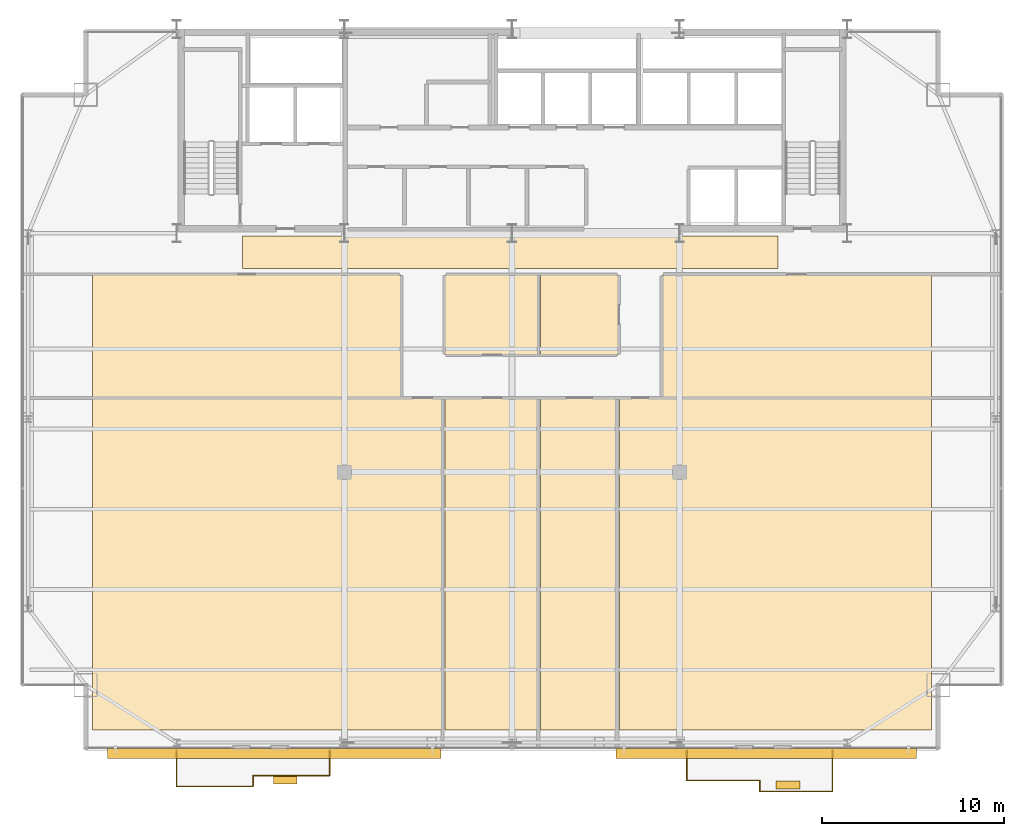
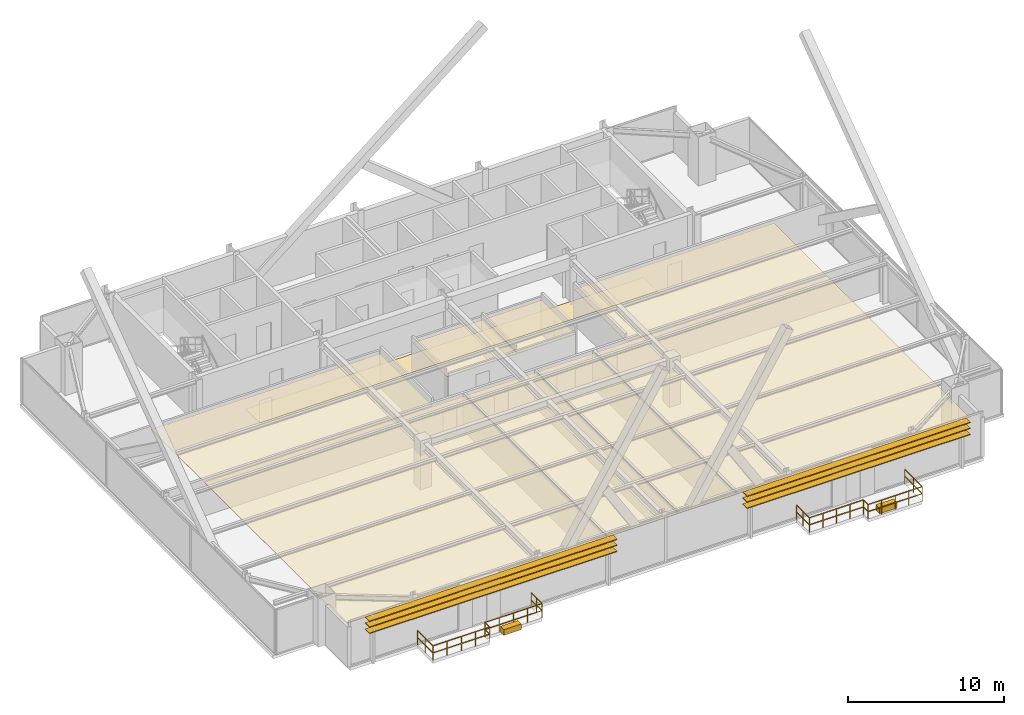
# One storey, part 33 of 34: 11 coverings, 10 railings, 6 shading devices.
"""IFC4 building model written with IfcOpenShell, lengths in metres."""

from ifc_helpers import new_model, si_unit, direction, frame, origin, origin_2d, place, context, subcontext, project, spatial, polyline, rectangle, outline, extrude, source, transform, mapped, material, layer, layer_set, type_object, type_shapes, element, save


model = new_model("IFC4")

# Units and contexts
model_context = context("Model", 3, precision=1e-05, world=origin(), true_north=direction((0.0, 1.0)))
body_context = subcontext(model_context, "Body", "Model", "MODEL_VIEW")
ifc_project = project(units=[si_unit("LENGTHUNIT", "METRE"), si_unit("AREAUNIT", "SQUARE_METRE"), si_unit("VOLUMEUNIT", "CUBIC_METRE"), si_unit("PLANEANGLEUNIT", "RADIAN"), si_unit("MASSUNIT", "GRAM", prefix="KILO")], contexts=[model_context])

# Site, building, storey
site_placement = place(None, origin())
site = spatial("IfcSite", under=ifc_project, at=site_placement, CompositionType="ELEMENT")
building_placement = place(site_placement, origin())
building = spatial("IfcBuilding", under=site, at=building_placement, Name="Varnel Quay Broadcast Tower", CompositionType="ELEMENT")
storey_placement = place(building_placement, frame((0.0, 0.0, 161.0)))
storey = spatial("IfcBuildingStorey", under=building, at=storey_placement, Name="L39", CompositionType="ELEMENT", Elevation=161.0)

# Coverings
ifc_material_1 = material(Name="Micro-Perforated Acoustic Ceiling Tile")
ifc_layer_1 = layer(ifc_material_1, 0.0400390625, Name="Micro-Perforated Acoustic Ceiling Tile")
ifc_layer_set_1 = layer_set([ifc_layer_1], Name="Micro-Perforated Acoustic Ceiling Tile")
covering_type_1 = type_object("IfcCoveringType", Name="Cov_AcousticCeiling", PredefinedType="CEILING", material=ifc_layer_set_1)
covering_1_placement = place(storey_placement, frame((0.0, 0.0, 2.580078125)))
element("IfcCovering", 1, at=covering_1_placement, inside=storey, type_object=covering_type_1, Name="L39 Press Briefing Room 1 Acoustic Ceiling", PredefinedType="CEILING", context=body_context, shape_type="SweptSolid", body=[
    extrude(outline(polyline([(10.985107421875, 8.324951171875), (30.2451171875, 8.324951171875), (30.2451171875, 26.52490234375), (10.985107421875, 26.52490234375), (10.985107421875, 8.324951171875)])), origin(), (0.0, 0.0, 1.0), 0.0400390625),
])
covering_2_placement = place(storey_placement, frame((0.0, 0.0, 2.580078125)))
element("IfcCovering", 2, at=covering_2_placement, inside=storey, type_object=covering_type_1, Name="L39 Editorial Huddle Room 2 Acoustic Ceiling", PredefinedType="CEILING", context=body_context, shape_type="SweptSolid", body=[
    extrude(outline(polyline([(30.31494140625, 8.324951171875), (35.5048828125, 8.324951171875), (35.5048828125, 26.52490234375), (30.31494140625, 26.52490234375), (30.31494140625, 8.324951171875)])), origin(), (0.0, 0.0, 1.0), 0.0400390625),
])
covering_3_placement = place(storey_placement, frame((0.0, 0.0, 2.580078125)))
element("IfcCovering", 3, at=covering_3_placement, inside=storey, type_object=covering_type_1, Name="L39 Journalism Training Studio 3 Acoustic Ceiling", PredefinedType="CEILING", context=body_context, shape_type="SweptSolid", body=[
    extrude(outline(polyline([(35.574951171875, 8.324951171875), (39.8349609375, 8.324951171875), (39.8349609375, 26.52490234375), (35.574951171875, 26.52490234375), (35.574951171875, 8.324951171875)])), origin(), (0.0, 0.0, 1.0), 0.0400390625),
])
covering_4_placement = place(storey_placement, frame((0.0, 0.0, 2.580078125)))
element("IfcCovering", 4, at=covering_4_placement, inside=storey, type_object=covering_type_1, Name="L39 Catering Kitchen 4 Acoustic Ceiling", PredefinedType="CEILING", context=body_context, shape_type="SweptSolid", body=[
    extrude(outline(polyline([(39.905029296875, 8.324951171875), (57.014892578125, 8.324951171875), (57.014892578125, 26.52490234375), (39.905029296875, 26.52490234375), (39.905029296875, 8.324951171875)])), origin(), (0.0, 0.0, 1.0), 0.0400390625),
])
covering_5_placement = place(storey_placement, frame((0.0, 0.0, 2.580078125)))
element("IfcCovering", 5, at=covering_5_placement, inside=storey, type_object=covering_type_1, Name="L39 Bureau Office 5 Acoustic Ceiling", PredefinedType="CEILING", context=body_context, shape_type="SweptSolid", body=[
    extrude(outline(polyline([(10.985107421875, 26.594970703125), (27.89501953125, 26.594970703125), (27.89501953125, 33.31494140625), (10.985107421875, 33.31494140625), (10.985107421875, 26.594970703125)])), origin(), (0.0, 0.0, 1.0), 0.0400390625),
])
covering_6_placement = place(storey_placement, frame((0.0, 0.0, 2.580078125)))
element("IfcCovering", 6, at=covering_6_placement, inside=storey, type_object=covering_type_1, Name="L39 Reading Lounge 6 Acoustic Ceiling", PredefinedType="CEILING", context=body_context, shape_type="SweptSolid", body=[
    extrude(outline(polyline([(30.31494140625, 28.945068359375), (35.5048828125, 28.945068359375), (35.5048828125, 33.31494140625), (30.31494140625, 33.31494140625), (30.31494140625, 28.945068359375)])), origin(), (0.0, 0.0, 1.0), 0.0400390625),
])
covering_7_placement = place(storey_placement, frame((0.0, 0.0, 2.580078125)))
element("IfcCovering", 7, at=covering_7_placement, inside=storey, type_object=covering_type_1, Name="L39 Broadcast Seminar Room 7 Acoustic Ceiling", PredefinedType="CEILING", context=body_context, shape_type="SweptSolid", body=[
    extrude(outline(polyline([(35.574951171875, 28.945068359375), (39.8349609375, 28.945068359375), (39.8349609375, 33.31494140625), (35.574951171875, 33.31494140625), (35.574951171875, 28.945068359375)])), origin(), (0.0, 0.0, 1.0), 0.0400390625),
])
covering_8_placement = place(storey_placement, frame((0.0, 0.0, 2.580078125)))
element("IfcCovering", 8, at=covering_8_placement, inside=storey, type_object=covering_type_1, Name="L39 Press Briefing Room 8 Acoustic Ceiling", PredefinedType="CEILING", context=body_context, shape_type="SweptSolid", body=[
    extrude(outline(polyline([(42.2548828125, 26.594970703125), (57.014892578125, 26.594970703125), (57.014892578125, 33.31494140625), (42.2548828125, 33.31494140625), (42.2548828125, 26.594970703125)])), origin(), (0.0, 0.0, 1.0), 0.0400390625),
])
ifc_material_2 = material(Name="Polished Terrazzo & Broadcast Raised Flooring")
ifc_layer_2 = layer(ifc_material_2, 0.0400390625, Name="Polished Terrazzo & Broadcast Raised Flooring")
ifc_layer_set_2 = layer_set([ifc_layer_2], Name="Polished Terrazzo & Broadcast Raised Flooring")
covering_type_2 = type_object("IfcCoveringType", Name="Cov_TerrazzoFloor", PredefinedType="FLOORING", material=ifc_layer_set_2)
covering_9_placement = place(storey_placement, origin())
element("IfcCovering", 9, at=covering_9_placement, inside=storey, type_object=covering_type_2, Name="L39 Corridor Terrazzo Flooring", PredefinedType="FLOORING", context=body_context, shape_type="SweptSolid", body=[
    extrude(outline(polyline([(19.199951171875, 33.64990234375), (48.60009765625, 33.64990234375), (48.60009765625, 35.449951171875), (19.199951171875, 35.449951171875), (19.199951171875, 33.64990234375)])), origin(), (0.0, 0.0, 1.0), 0.0400390625),
])

# Railings
ifc_material_3 = material(Name="Anodised Bronze Aluminium 6063-T6", Category="aluminium")
railing_type = type_object("IfcRailingType", Name="Rail_Balustrade1150", PredefinedType="BALUSTRADE", material=ifc_material_3)
railing_1_placement = place(storey_placement, frame((15.590087890625, 5.236083984375, 0.0)))
element("IfcRailing", 10, at=railing_1_placement, inside=storey, type_object=railing_type, Name="L39 Terrace 1 Guard 1", PredefinedType="BALUSTRADE", context=body_context, shape_type="SweptSolid", body=[
    extrude(rectangle(XDim=0.048095703125, YDim=0.048095703125, at=origin_2d()), frame((0.0, 0.0, 1.1259765625), z_axis=(1.0, 0.0, 0.0), x_axis=(0.0, 1.0, 0.0)), (0.0, 0.0, 1.0), 4.199951171875),
    extrude(rectangle(XDim=0.048095703125, YDim=0.048095703125, at=origin_2d()), frame((0.0, 0.0, 0.574951171875), z_axis=(1.0, 0.0, 0.0), x_axis=(0.0, 1.0, 0.0)), (0.0, 0.0, 1.0), 4.199951171875),
    extrude(rectangle(XDim=0.0419921875, YDim=0.0419921875, at=origin_2d()), origin(), (0.0, 0.0, 1.0), 1.101806640625),
    extrude(rectangle(XDim=0.0419921875, YDim=0.0419921875, at=origin_2d()), frame((1.050048828125, 0.0, 0.0)), (0.0, 0.0, 1.0), 1.101806640625),
    extrude(rectangle(XDim=0.0419921875, YDim=0.0419921875, at=origin_2d()), frame((2.10009765625, 0.0, 0.0)), (0.0, 0.0, 1.0), 1.101806640625),
    extrude(rectangle(XDim=0.0419921875, YDim=0.0419921875, at=origin_2d()), frame((3.14990234375, 0.0, 0.0)), (0.0, 0.0, 1.0), 1.101806640625),
    extrude(rectangle(XDim=0.0419921875, YDim=0.0419921875, at=origin_2d()), frame((4.199951171875, 0.0, 0.0)), (0.0, 0.0, 1.0), 1.101806640625),
])
railing_2_placement = place(storey_placement, frame((19.7900390625, 5.236083984375, 0.0)))
element("IfcRailing", 11, at=railing_2_placement, inside=storey, type_object=railing_type, Name="L39 Terrace 1 Guard 2", PredefinedType="BALUSTRADE", context=body_context, shape_type="SweptSolid", body=[
    extrude(rectangle(XDim=0.048095703125, YDim=0.048095703125, at=origin_2d()), frame((0.0, 0.0, 1.1259765625), z_axis=(0.0, 1.0, 0.0), x_axis=(-1.0, 0.0, 0.0)), (0.0, 0.0, 1.0), 0.599853515625),
    extrude(rectangle(XDim=0.048095703125, YDim=0.048095703125, at=origin_2d()), frame((0.0, 0.0, 0.574951171875), z_axis=(0.0, 1.0, 0.0), x_axis=(-1.0, 0.0, 0.0)), (0.0, 0.0, 1.0), 0.599853515625),
    extrude(rectangle(XDim=0.0419921875, YDim=0.0419921875, at=origin_2d()), origin(), (0.0, 0.0, 1.0), 1.101806640625),
    extrude(rectangle(XDim=0.0419921875, YDim=0.0419921875, at=origin_2d()), frame((0.0, 0.599853515625, 0.0)), (0.0, 0.0, 1.0), 1.101806640625),
])
railing_3_placement = place(storey_placement, frame((19.7900390625, 5.8359375, 0.0)))
element("IfcRailing", 12, at=railing_3_placement, inside=storey, type_object=railing_type, Name="L39 Terrace 1 Guard 3", PredefinedType="BALUSTRADE", context=body_context, shape_type="SweptSolid", body=[
    extrude(rectangle(XDim=0.048095703125, YDim=0.048095703125, at=origin_2d()), frame((0.0, 0.0, 1.1259765625), z_axis=(1.0, 0.0, 0.0), x_axis=(0.0, 1.0, 0.0)), (0.0, 0.0, 1.0), 4.199951171875),
    extrude(rectangle(XDim=0.048095703125, YDim=0.048095703125, at=origin_2d()), frame((0.0, 0.0, 0.574951171875), z_axis=(1.0, 0.0, 0.0), x_axis=(0.0, 1.0, 0.0)), (0.0, 0.0, 1.0), 4.199951171875),
    extrude(rectangle(XDim=0.0419921875, YDim=0.0419921875, at=origin_2d()), origin(), (0.0, 0.0, 1.0), 1.101806640625),
    extrude(rectangle(XDim=0.0419921875, YDim=0.0419921875, at=origin_2d()), frame((1.050048828125, 0.0, 0.0)), (0.0, 0.0, 1.0), 1.101806640625),
    extrude(rectangle(XDim=0.0419921875, YDim=0.0419921875, at=origin_2d()), frame((2.10009765625, 0.0, 0.0)), (0.0, 0.0, 1.0), 1.101806640625),
    extrude(rectangle(XDim=0.0419921875, YDim=0.0419921875, at=origin_2d()), frame((3.14990234375, 0.0, 0.0)), (0.0, 0.0, 1.0), 1.101806640625),
    extrude(rectangle(XDim=0.0419921875, YDim=0.0419921875, at=origin_2d()), frame((4.199951171875, 0.0, 0.0)), (0.0, 0.0, 1.0), 1.101806640625),
])
railing_4_placement = place(storey_placement, frame((23.989990234375, 5.8359375, 0.0)))
element("IfcRailing", 13, at=railing_4_placement, inside=storey, type_object=railing_type, Name="L39 Terrace 1 Guard 4", PredefinedType="BALUSTRADE", context=body_context, shape_type="SweptSolid", body=[
    extrude(rectangle(XDim=0.048095703125, YDim=0.048095703125, at=origin_2d()), frame((0.0, 0.0, 1.1259765625), z_axis=(0.0, 1.0, 0.0), x_axis=(-1.0, 0.0, 0.0)), (0.0, 0.0, 1.0), 1.364013671875),
    extrude(rectangle(XDim=0.048095703125, YDim=0.048095703125, at=origin_2d()), frame((0.0, 0.0, 0.574951171875), z_axis=(0.0, 1.0, 0.0), x_axis=(-1.0, 0.0, 0.0)), (0.0, 0.0, 1.0), 1.364013671875),
    extrude(rectangle(XDim=0.0419921875, YDim=0.0419921875, at=origin_2d()), origin(), (0.0, 0.0, 1.0), 1.101806640625),
    extrude(rectangle(XDim=0.0419921875, YDim=0.0419921875, at=origin_2d()), frame((0.0, 0.68212890625, 0.0)), (0.0, 0.0, 1.0), 1.101806640625),
    extrude(rectangle(XDim=0.0419921875, YDim=0.0419921875, at=origin_2d()), frame((0.0, 1.364013671875, 0.0)), (0.0, 0.0, 1.0), 1.101806640625),
])
railing_5_placement = place(storey_placement, frame((15.590087890625, 7.199951171875, 0.0)))
element("IfcRailing", 14, at=railing_5_placement, inside=storey, type_object=railing_type, Name="L39 Terrace 1 Guard 6", PredefinedType="BALUSTRADE", context=body_context, shape_type="SweptSolid", body=[
    extrude(rectangle(XDim=0.048095703125, YDim=0.048095703125, at=origin_2d()), frame((0.0, 0.0, 1.1259765625), z_axis=(0.0, -1.0, 0.0), x_axis=(1.0, 0.0, 0.0)), (0.0, 0.0, 1.0), 1.9638671875),
    extrude(rectangle(XDim=0.048095703125, YDim=0.048095703125, at=origin_2d()), frame((0.0, 0.0, 0.574951171875), z_axis=(0.0, -1.0, 0.0), x_axis=(1.0, 0.0, 0.0)), (0.0, 0.0, 1.0), 1.9638671875),
    extrude(rectangle(XDim=0.0419921875, YDim=0.0419921875, at=origin_2d()), origin(), (0.0, 0.0, 1.0), 1.101806640625),
    extrude(rectangle(XDim=0.0419921875, YDim=0.0419921875, at=origin_2d()), frame((0.0, -0.98193359375, 0.0)), (0.0, 0.0, 1.0), 1.101806640625),
    extrude(rectangle(XDim=0.0419921875, YDim=0.0419921875, at=origin_2d()), frame((0.0, -1.9638671875, 0.0)), (0.0, 0.0, 1.0), 1.101806640625),
])
railing_6_placement = place(storey_placement, frame((43.60009765625, 5.56396484375, 0.0)))
element("IfcRailing", 15, at=railing_6_placement, inside=storey, type_object=railing_type, Name="L39 Terrace 2 Guard 1", PredefinedType="BALUSTRADE", context=body_context, shape_type="SweptSolid", body=[
    extrude(rectangle(XDim=0.048095703125, YDim=0.048095703125, at=origin_2d()), frame((0.0, 0.0, 1.1259765625), z_axis=(1.0, 0.0, 0.0), x_axis=(0.0, 1.0, 0.0)), (0.0, 0.0, 1.0), 3.994873046875),
    extrude(rectangle(XDim=0.048095703125, YDim=0.048095703125, at=origin_2d()), frame((0.0, 0.0, 0.574951171875), z_axis=(1.0, 0.0, 0.0), x_axis=(0.0, 1.0, 0.0)), (0.0, 0.0, 1.0), 3.994873046875),
    extrude(rectangle(XDim=0.0419921875, YDim=0.0419921875, at=origin_2d()), origin(), (0.0, 0.0, 1.0), 1.101806640625),
    extrude(rectangle(XDim=0.0419921875, YDim=0.0419921875, at=origin_2d()), frame((0.998779296875, 0.0, 0.0)), (0.0, 0.0, 1.0), 1.101806640625),
    extrude(rectangle(XDim=0.0419921875, YDim=0.0419921875, at=origin_2d()), frame((1.99755859375, 0.0, 0.0)), (0.0, 0.0, 1.0), 1.101806640625),
    extrude(rectangle(XDim=0.0419921875, YDim=0.0419921875, at=origin_2d()), frame((2.99609375, 0.0, 0.0)), (0.0, 0.0, 1.0), 1.101806640625),
    extrude(rectangle(XDim=0.0419921875, YDim=0.0419921875, at=origin_2d()), frame((3.994873046875, 0.0, 0.0)), (0.0, 0.0, 1.0), 1.101806640625),
])
railing_7_placement = place(storey_placement, frame((47.594970703125, 5.56396484375, 0.0)))
element("IfcRailing", 16, at=railing_7_placement, inside=storey, type_object=railing_type, Name="L39 Terrace 2 Guard 2", PredefinedType="BALUSTRADE", context=body_context, shape_type="SweptSolid", body=[
    extrude(rectangle(XDim=0.048095703125, YDim=0.048095703125, at=origin_2d()), frame((0.0, 0.0, 1.1259765625), z_axis=(0.0, -1.0, 0.0), x_axis=(1.0, 0.0, 0.0)), (0.0, 0.0, 1.0), 0.599853515625),
    extrude(rectangle(XDim=0.048095703125, YDim=0.048095703125, at=origin_2d()), frame((0.0, 0.0, 0.574951171875), z_axis=(0.0, -1.0, 0.0), x_axis=(1.0, 0.0, 0.0)), (0.0, 0.0, 1.0), 0.599853515625),
    extrude(rectangle(XDim=0.0419921875, YDim=0.0419921875, at=origin_2d()), origin(), (0.0, 0.0, 1.0), 1.101806640625),
    extrude(rectangle(XDim=0.0419921875, YDim=0.0419921875, at=origin_2d()), frame((0.0, -0.599853515625, 0.0)), (0.0, 0.0, 1.0), 1.101806640625),
])
railing_8_placement = place(storey_placement, frame((47.594970703125, 4.964111328125, 0.0)))
element("IfcRailing", 17, at=railing_8_placement, inside=storey, type_object=railing_type, Name="L39 Terrace 2 Guard 3", PredefinedType="BALUSTRADE", context=body_context, shape_type="SweptSolid", body=[
    extrude(rectangle(XDim=0.048095703125, YDim=0.048095703125, at=origin_2d()), frame((0.0, 0.0, 1.1259765625), z_axis=(1.0, 0.0, 0.0), x_axis=(0.0, 1.0, 0.0)), (0.0, 0.0, 1.0), 3.9951171875),
    extrude(rectangle(XDim=0.048095703125, YDim=0.048095703125, at=origin_2d()), frame((0.0, 0.0, 0.574951171875), z_axis=(1.0, 0.0, 0.0), x_axis=(0.0, 1.0, 0.0)), (0.0, 0.0, 1.0), 3.9951171875),
    extrude(rectangle(XDim=0.0419921875, YDim=0.0419921875, at=origin_2d()), origin(), (0.0, 0.0, 1.0), 1.101806640625),
    extrude(rectangle(XDim=0.0419921875, YDim=0.0419921875, at=origin_2d()), frame((0.998779296875, 0.0, 0.0)), (0.0, 0.0, 1.0), 1.101806640625),
    extrude(rectangle(XDim=0.0419921875, YDim=0.0419921875, at=origin_2d()), frame((1.99755859375, 0.0, 0.0)), (0.0, 0.0, 1.0), 1.101806640625),
    extrude(rectangle(XDim=0.0419921875, YDim=0.0419921875, at=origin_2d()), frame((2.996337890625, 0.0, 0.0)), (0.0, 0.0, 1.0), 1.101806640625),
    extrude(rectangle(XDim=0.0419921875, YDim=0.0419921875, at=origin_2d()), frame((3.9951171875, 0.0, 0.0)), (0.0, 0.0, 1.0), 1.101806640625),
])
railing_9_placement = place(storey_placement, frame((51.590087890625, 4.964111328125, 0.0)))
element("IfcRailing", 18, at=railing_9_placement, inside=storey, type_object=railing_type, Name="L39 Terrace 2 Guard 4", PredefinedType="BALUSTRADE", context=body_context, shape_type="SweptSolid", body=[
    extrude(rectangle(XDim=0.048095703125, YDim=0.048095703125, at=origin_2d()), frame((0.0, 0.0, 1.1259765625), z_axis=(0.0, 1.0, 0.0), x_axis=(-1.0, 0.0, 0.0)), (0.0, 0.0, 1.0), 2.23583984375),
    extrude(rectangle(XDim=0.048095703125, YDim=0.048095703125, at=origin_2d()), frame((0.0, 0.0, 0.574951171875), z_axis=(0.0, 1.0, 0.0), x_axis=(-1.0, 0.0, 0.0)), (0.0, 0.0, 1.0), 2.23583984375),
    extrude(rectangle(XDim=0.0419921875, YDim=0.0419921875, at=origin_2d()), origin(), (0.0, 0.0, 1.0), 1.101806640625),
    extrude(rectangle(XDim=0.0419921875, YDim=0.0419921875, at=origin_2d()), frame((0.0, 1.117919921875, 0.0)), (0.0, 0.0, 1.0), 1.101806640625),
    extrude(rectangle(XDim=0.0419921875, YDim=0.0419921875, at=origin_2d()), frame((0.0, 2.23583984375, 0.0)), (0.0, 0.0, 1.0), 1.101806640625),
])
railing_10_placement = place(storey_placement, frame((43.60009765625, 7.199951171875, 0.0)))
element("IfcRailing", 19, at=railing_10_placement, inside=storey, type_object=railing_type, Name="L39 Terrace 2 Guard 6", PredefinedType="BALUSTRADE", context=body_context, shape_type="SweptSolid", body=[
    extrude(rectangle(XDim=0.048095703125, YDim=0.048095703125, at=origin_2d()), frame((0.0, 0.0, 1.1259765625), z_axis=(0.0, -1.0, 0.0), x_axis=(1.0, 0.0, 0.0)), (0.0, 0.0, 1.0), 1.635986328125),
    extrude(rectangle(XDim=0.048095703125, YDim=0.048095703125, at=origin_2d()), frame((0.0, 0.0, 0.574951171875), z_axis=(0.0, -1.0, 0.0), x_axis=(1.0, 0.0, 0.0)), (0.0, 0.0, 1.0), 1.635986328125),
    extrude(rectangle(XDim=0.0419921875, YDim=0.0419921875, at=origin_2d()), origin(), (0.0, 0.0, 1.0), 1.101806640625),
    extrude(rectangle(XDim=0.0419921875, YDim=0.0419921875, at=origin_2d()), frame((0.0, -0.81787109375, 0.0)), (0.0, 0.0, 1.0), 1.101806640625),
    extrude(rectangle(XDim=0.0419921875, YDim=0.0419921875, at=origin_2d()), frame((0.0, -1.635986328125, 0.0)), (0.0, 0.0, 1.0), 1.101806640625),
])

# Coverings
ifc_material_4 = material(Name="Bronze-Terracotta Extruded Ceramic Blade", Category="masonry")
ifc_layer_3 = layer(ifc_material_4, 0.449951171875, Name="Bronze-Terracotta Extruded Ceramic Blade")
ifc_layer_set_3 = layer_set([ifc_layer_3], Name="Bronze-Terracotta Extruded Ceramic Blade")
covering_type_3 = type_object("IfcCoveringType", Name="Cov_BronzePlanter", PredefinedType="CLADDING", material=ifc_layer_set_3)
shared_shape_1 = source(origin(), body_context, "Body", "SweptSolid", [
    extrude(rectangle(XDim=1.300048828125, YDim=0.449951171875, at=origin_2d()), origin(), (0.0, 0.0, 1.0), 0.449951171875),
])
type_shapes(covering_type_3, [shared_shape_1])
for number, where, z_axis, x_axis, name in (
    (20, (21.550048828125, 5.5859375, 0.0), (0.0, 0.0, 1.0), (1.0, 0.0, 0.0), "L39 Terrace 1 Bronze Planter"),
    (21, (49.14990234375, 5.31396484375, 0.0), (0.0, 0.0, 1.0), (1.0, 0.0, 0.0), "L39 Terrace 2 Bronze Planter"),
):
    element("IfcCovering", number, at=place(storey_placement, frame(where, z_axis=z_axis, x_axis=x_axis)), inside=storey, type_object=covering_type_3, Name=name, PredefinedType="CLADDING", context=body_context, shape_type="MappedRepresentation", body=[
        mapped(shared_shape_1, transform((0.0, 0.0, 0.0), x_axis=(1.0, 0.0, 0.0), y_axis=(0.0, 1.0, 0.0), z_axis=(0.0, 0.0, 1.0), scale=1.0)),
    ])

# Shading devices
ifc_layer_4 = layer(ifc_material_4, 0.06494140625, Name="Bronze-Terracotta Extruded Ceramic Blade")
ifc_layer_set_4 = layer_set([ifc_layer_4], Name="Bronze-Terracotta Extruded Ceramic Blade")
shading_device_type = type_object("IfcShadingDeviceType", Name="Shade_LouvreBlade550", PredefinedType="JALOUSIE", material=ifc_layer_set_4)
shared_shape_2 = source(origin(), body_context, "Body", "SweptSolid", [
    extrude(rectangle(XDim=18.294921875, YDim=0.550048828125, at=origin_2d()), origin(), (0.0, 0.0, 1.0), 0.06494140625),
])
for number, where, z_axis, x_axis, name in (
    (22, (20.947021484375, 7.06005859375, 2.447509765625), (0.0, 0.0, 1.0), (1.0, 0.0, 0.0), "L39 Lobe 1 Horizontal Louvre Blade 1"),
    (23, (20.947021484375, 7.06005859375, 2.927490234375), (0.0, 0.0, 1.0), (1.0, 0.0, 0.0), "L39 Lobe 1 Horizontal Louvre Blade 2"),
    (24, (20.947021484375, 7.06005859375, 3.387451171875), (0.0, 0.0, 1.0), (1.0, 0.0, 0.0), "L39 Lobe 1 Horizontal Louvre Blade 3"),
):
    element("IfcShadingDevice", number, at=place(storey_placement, frame(where, z_axis=z_axis, x_axis=x_axis)), inside=storey, type_object=shading_device_type, Name=name, PredefinedType="JALOUSIE", context=body_context, shape_type="MappedRepresentation", body=[
        mapped(shared_shape_2, transform((0.0, 0.0, 0.0), x_axis=(1.0, 0.0, 0.0), y_axis=(0.0, 1.0, 0.0), z_axis=(0.0, 0.0, 1.0), scale=1.0)),
    ])
shared_shape_3 = source(origin(), body_context, "Body", "SweptSolid", [
    extrude(rectangle(XDim=16.5048828125, YDim=0.550048828125, at=origin_2d()), origin(), (0.0, 0.0, 1.0), 0.06494140625),
])
type_shapes(shading_device_type, [shared_shape_2, shared_shape_3])
for number, where, z_axis, x_axis, name in (
    (25, (47.947998046875, 7.06005859375, 2.447509765625), (0.0, 0.0, 1.0), (1.0, 0.0, 0.0), "L39 Lobe 2 Horizontal Louvre Blade 1"),
    (26, (47.947998046875, 7.06005859375, 2.927490234375), (0.0, 0.0, 1.0), (1.0, 0.0, 0.0), "L39 Lobe 2 Horizontal Louvre Blade 2"),
    (27, (47.947998046875, 7.06005859375, 3.387451171875), (0.0, 0.0, 1.0), (1.0, 0.0, 0.0), "L39 Lobe 2 Horizontal Louvre Blade 3"),
):
    element("IfcShadingDevice", number, at=place(storey_placement, frame(where, z_axis=z_axis, x_axis=x_axis)), inside=storey, type_object=shading_device_type, Name=name, PredefinedType="JALOUSIE", context=body_context, shape_type="MappedRepresentation", body=[
        mapped(shared_shape_3, transform((0.0, 0.0, 0.0), x_axis=(1.0, 0.0, 0.0), y_axis=(0.0, 1.0, 0.0), z_axis=(0.0, 0.0, 1.0), scale=1.0)),
    ])

save(model, "model.ifc")
